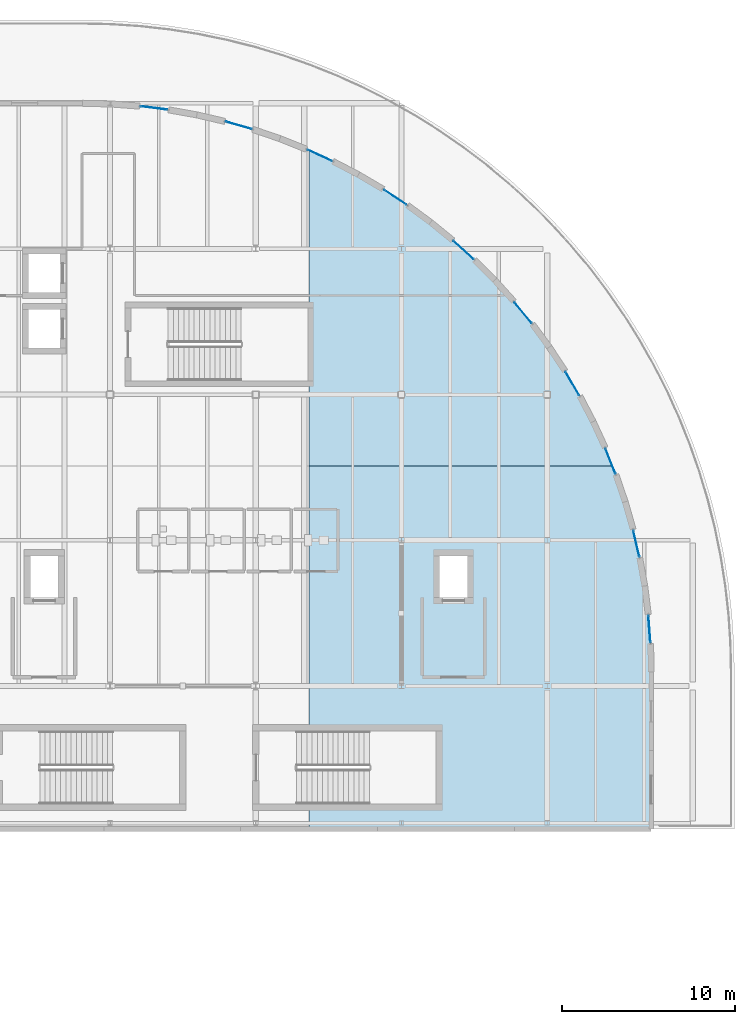
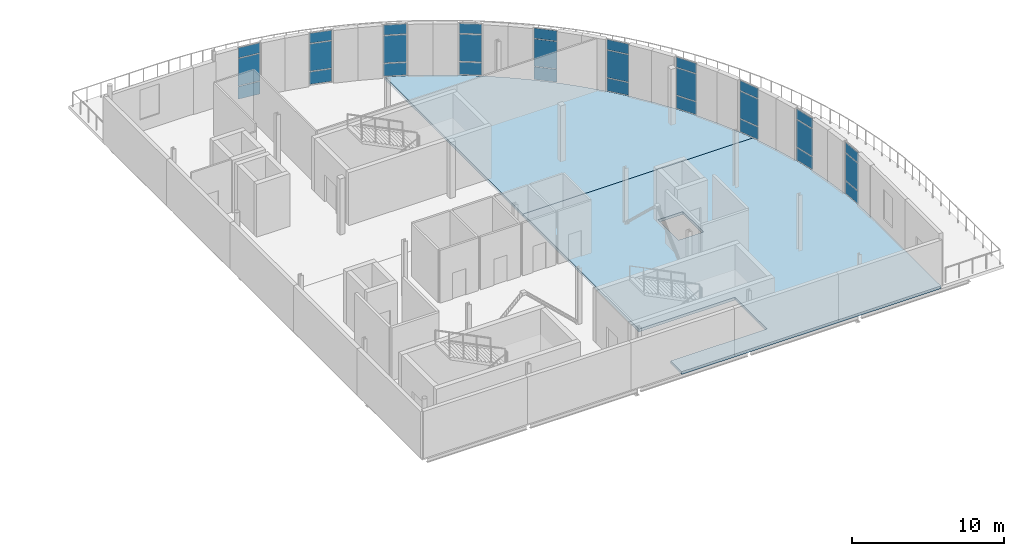
# One storey, part 20 of 40: 30 plates, 2 slabs, 10 elements without a shape of their own.
"""IFC4 building model written with IfcOpenShell, lengths in metres."""

import ifcopenshell
import ifcopenshell.guid

model = None  # the IFC model being written
_history = None  # IfcOwnerHistory: only IFC2X3 demands one
_inside = {}  # id of a spatial element -> (the spatial element, [elements in it])
_under = {}  # id of a project, library or spatial element -> (it, [spatial elements below it])
_declared = {}  # id of a project -> (the project, [libraries it declares])
_typed = {}  # id of a type object -> (the type object, [elements of that type])
_made_of = {}  # id of a material, layer set ... -> (it, [elements and type objects made of it])


def new_model(schema):
    """Start an empty IFC model of exactly this schema.

    Asked for "IFC4X3", IfcOpenShell would pick the latest addendum, in which some entities
    have other attributes; the version numbers below select the first issue.
    IFC2X3 requires an IfcOwnerHistory on every rooted entity: one is made here for all.
    """
    global model, _history
    if schema == "IFC4X3":
        model = ifcopenshell.file(schema_version=(4, 3, 0, 0))
    else:
        model = ifcopenshell.file(schema=schema)
    _inside.clear()
    _under.clear()
    _declared.clear()
    _typed.clear()
    _made_of.clear()
    _history = None
    if model.schema == "IFC2X3":
        org = make("IfcOrganization", Name="unknown")
        user = make(
            "IfcPersonAndOrganization",
            ThePerson=make("IfcPerson", FamilyName="unknown"),
            TheOrganization=org,
        )
        app = make(
            "IfcApplication",
            ApplicationDeveloper=org,
            Version="unknown",
            ApplicationFullName="unknown",
            ApplicationIdentifier="unknown",
        )
        _history = make(
            "IfcOwnerHistory",
            OwningUser=user,
            OwningApplication=app,
            ChangeAction="ADDED",
            CreationDate=0,
        )
    return model


def make(cls, **values):
    """One entity of the class cls with the attributes given. An attribute that is None is left unset."""
    return model.create_entity(
        cls, **{name: value for name, value in values.items() if value is not None}
    )


def rooted(cls, **values):
    """An entity with a GlobalId (a new one), such as an element, a storey or a relation."""
    return make(cls, GlobalId=ifcopenshell.guid.new(), OwnerHistory=_history, **values)


def si_unit(unit_type, name, prefix=None):
    """IfcSIUnit, for example si_unit("LENGTHUNIT", "METRE", prefix="MILLI")."""
    return make("IfcSIUnit", UnitType=unit_type, Prefix=prefix, Name=name)


def assignment(units):
    """IfcUnitAssignment: the units of a project."""
    return None if units is None else make("IfcUnitAssignment", Units=units)


def point(xyz):
    """IfcCartesianPoint."""
    return None if xyz is None else make("IfcCartesianPoint", Coordinates=xyz)


def direction(xyz):
    """IfcDirection."""
    return None if xyz is None else make("IfcDirection", DirectionRatios=xyz)


def frame(location, z_axis=None, x_axis=None):
    """IfcAxis2Placement3D, a coordinate frame: its origin and axes. An axis left out is left unset."""
    return make(
        "IfcAxis2Placement3D",
        Location=point(location),
        Axis=direction(z_axis),
        RefDirection=direction(x_axis),
    )


def frame_2d(location, x_axis=None):
    """IfcAxis2Placement2D, a coordinate frame in the plane: its origin and x axis."""
    return make(
        "IfcAxis2Placement2D", Location=point(location), RefDirection=direction(x_axis)
    )


def origin():
    """The frame at (0, 0, 0) with its axes left unset."""
    return frame((0.0, 0.0, 0.0))


def origin_2d():
    """The frame at (0, 0) in the plane with its x axis left unset."""
    return frame_2d((0.0, 0.0))


def place(relative_to, where):
    """IfcLocalPlacement: puts the frame where relative to a parent placement (None: the world)."""
    return make(
        "IfcLocalPlacement", PlacementRelTo=relative_to, RelativePlacement=where
    )


def context(
    kind, dimensions, precision=None, world=None, true_north=None, identifier=None
):
    """IfcGeometricRepresentationContext, for example the 3D "Model" context."""
    return make(
        "IfcGeometricRepresentationContext",
        ContextIdentifier=identifier,
        ContextType=kind,
        CoordinateSpaceDimension=dimensions,
        Precision=precision,
        WorldCoordinateSystem=world,
        TrueNorth=true_north,
    )


def subcontext(parent, identifier, kind, view, scale=None):
    """IfcGeometricRepresentationSubContext, for example "Body" below "Model"."""
    return make(
        "IfcGeometricRepresentationSubContext",
        ContextIdentifier=identifier,
        ContextType=kind,
        ParentContext=parent,
        TargetScale=scale,
        TargetView=view,
    )


def project(units=None, contexts=None):
    """IfcProject with its units and contexts."""
    return rooted(
        "IfcProject",
        Name="project",
        RepresentationContexts=contexts,
        UnitsInContext=assignment(units),
    )


def spatial(cls, under=None, at=None, **own):
    """A site, building, storey or space (cls), placed at a placement, below another one or the project."""
    s = rooted(cls, ObjectPlacement=at, **own)
    if under is not None:
        _under.setdefault(under.id(), (under, []))[1].append(s)
    return s


def polyline(points):
    """IfcPolyline through the points."""
    return make("IfcPolyline", Points=[point(p) for p in points])


def profile(cls, at=None, kind="AREA", **sizes):
    """A parametric profile (cls). Its sizes go by their IFC names, for example OverallWidth=200.0."""
    return make(cls, ProfileType=kind, Position=at, **sizes)


def rectangle(**sizes):
    """IfcRectangleProfileDef."""
    return profile("IfcRectangleProfileDef", **sizes)


def outline(outer, holes=None, kind="AREA"):
    """IfcArbitraryClosedProfileDef: a profile drawn as a closed curve; with holes, ...WithVoids."""
    if holes is None:
        return make("IfcArbitraryClosedProfileDef", ProfileType=kind, OuterCurve=outer)
    return make(
        "IfcArbitraryProfileDefWithVoids",
        ProfileType=kind,
        OuterCurve=outer,
        InnerCurves=holes,
    )


def extrude(swept, where, along, depth):
    """IfcExtrudedAreaSolid: the profile swept, set in the frame where, extruded along a direction by depth."""
    return make(
        "IfcExtrudedAreaSolid",
        SweptArea=swept,
        Position=where,
        ExtrudedDirection=direction(along),
        Depth=depth,
    )


def shape(context_of_items, identifier, shape_type, items):
    """IfcShapeRepresentation: the items that make up one representation, for example the "Body"."""
    return make(
        "IfcShapeRepresentation",
        ContextOfItems=context_of_items,
        RepresentationIdentifier=identifier,
        RepresentationType=shape_type,
        Items=items,
    )


def material(Name=None, Category=None):
    """IfcMaterial."""
    return make("IfcMaterial", Name=Name, Category=Category)


def layer(
    of_material, thickness, ventilated=None, Name=None, Category=None, Priority=None
):
    """IfcMaterialLayer: one layer of a wall or slab, of a material (None: an air gap)."""
    return make(
        "IfcMaterialLayer",
        Material=of_material,
        LayerThickness=thickness,
        IsVentilated=ventilated,
        Name=Name,
        Category=Category,
        Priority=Priority,
    )


def layer_set(layers, Name=None):
    """IfcMaterialLayerSet."""
    return make("IfcMaterialLayerSet", MaterialLayers=layers, LayerSetName=Name)


def made_of(thing, what):
    """Note that an element or type object is made of a material, layer set ...; save() writes the relation."""
    if what is not None:
        _made_of.setdefault(what.id(), (what, []))[1].append(thing)
    return thing


def type_object(cls, material=None, **own):
    """A type object (cls), such as IfcWallType, which elements share."""
    return made_of(rooted(cls, **own), material)


def element(
    cls,
    number,
    at=None,
    inside=None,
    cuts=None,
    type_object=None,
    material=None,
    context=None,
    identifier="Body",
    shape_type=None,
    held_by="IfcProductDefinitionShape",
    body=None,
    shapes=None,
    **own,
):
    """One element of the class cls, such as IfcWall. Its Tag is "e" and its number.

    at: its placement. inside: the storey or other place that contains it. cuts: it is an
    opening in that element (IfcRelVoidsElement). A single representation is given by context,
    identifier, shape_type and body (its items); several are given by shapes. held_by: the class
    of the entity that holds the representations. save() writes the other relations.
    """
    e = rooted(cls, Tag="e%d" % number, ObjectPlacement=at, **own)
    if body is not None:
        shapes = [shape(context, identifier, shape_type, body)]
    if shapes is not None:
        e.Representation = make(held_by, Representations=shapes)
    if inside is not None:
        _inside.setdefault(inside.id(), (inside, []))[1].append(e)
    if cuts is not None:
        rooted(
            "IfcRelVoidsElement", RelatingBuildingElement=cuts, RelatedOpeningElement=e
        )
    if type_object is not None:
        _typed.setdefault(type_object.id(), (type_object, []))[1].append(e)
    return made_of(e, material)


def aggregate(whole, parts):
    """IfcRelAggregates: a whole, such as a stair, and the parts it consists of."""
    return rooted("IfcRelAggregates", RelatingObject=whole, RelatedObjects=parts)


def save(model, path):
    """Write the relations noted so far, then the file.

    IfcRelAggregates (storeys below a building ...), IfcRelContainedInSpatialStructure (elements
    in a storey), IfcRelDefinesByType, IfcRelAssociatesMaterial and IfcRelDeclares: one each for
    every whole, place, type object, material and project.
    """
    for whole, parts in _under.values():
        aggregate(whole, parts)
    for where, things in _inside.values():
        rooted(
            "IfcRelContainedInSpatialStructure",
            RelatedElements=things,
            RelatingStructure=where,
        )
    for kind, things in _typed.values():
        rooted("IfcRelDefinesByType", RelatedObjects=things, RelatingType=kind)
    for what, things in _made_of.values():
        rooted("IfcRelAssociatesMaterial", RelatedObjects=things, RelatingMaterial=what)
    for by, libraries in _declared.values():
        rooted("IfcRelDeclares", RelatingContext=by, RelatedDefinitions=libraries)
    model.write(path)


model = new_model("IFC4")

# Units and contexts
model_context = context("Model", 3, precision=1e-05, world=origin(), true_north=direction((0.0, 1.0)))
body_context = subcontext(model_context, "Body", "Model", "MODEL_VIEW")
ifc_project = project(units=[si_unit("LENGTHUNIT", "METRE"), si_unit("AREAUNIT", "SQUARE_METRE"), si_unit("VOLUMEUNIT", "CUBIC_METRE"), si_unit("PLANEANGLEUNIT", "RADIAN"), si_unit("MASSUNIT", "GRAM", prefix="KILO"), si_unit("THERMODYNAMICTEMPERATUREUNIT", "KELVIN")], contexts=[model_context])

# Site, building, storey
site_placement = place(None, origin())
site = spatial("IfcSite", under=ifc_project, at=site_placement, CompositionType="ELEMENT")
building_placement = place(site_placement, origin())
building = spatial("IfcBuilding", under=site, at=building_placement, Name="Lustrewick Department Store", CompositionType="ELEMENT")
storey_placement = place(building_placement, frame((0.0, 0.0, 31.800048828125)))
storey = spatial("IfcBuildingStorey", under=building, at=storey_placement, Name="L07", CompositionType="ELEMENT", Elevation=31.800048828125)

# Curtain wall, plates
ifc_material_1 = material(Name="Thermally broken aluminium 6063-T5", Category="aluminium")
ifc_layer_1 = layer(ifc_material_1, 0.179931640625, Name="Thermally broken aluminium 6063-T5")
ifc_layer_set_1 = layer_set([ifc_layer_1], Name="Thermally broken aluminium 6063-T5")
curtain_wall_type_1 = type_object("IfcCurtainWallType", Name="CW11", PredefinedType="NOTDEFINED", material=ifc_layer_set_1)
curtain_wall_1_placement = place(storey_placement, origin())
curtain_wall_1 = element("IfcCurtainWall", 1, at=curtain_wall_1_placement, inside=storey, type_object=curtain_wall_type_1, Name="L07 V4 Curtain Wall CW11", PredefinedType="NOTDEFINED")
ifc_material_2 = material(Name="Low-E laminated safety glass", Category="glass")
ifc_layer_2 = layer(ifc_material_2, 0.02392578125, Name="Low-E laminated safety glass")
ifc_layer_set_2 = layer_set([ifc_layer_2], Name="Low-E laminated safety glass")
plate_type_1 = type_object("IfcPlateType", Name="CP01", PredefinedType="CURTAIN_PANEL", material=ifc_layer_set_2)
plate_1_placement = place(storey_placement, frame((147.940673828125, 67.011962890625, 0.06494140625), z_axis=(0.0, 0.0, 1.0), x_axis=(-0.226076687502, 0.974109506867, 0.0)))
plate_1 = element("IfcPlate", 2, at=plate_1_placement, type_object=plate_type_1, Name="CW11 panel 1.1", PredefinedType="CURTAIN_PANEL", context=body_context, shape_type="SweptSolid", body=[
    extrude(rectangle(XDim=1.53173828125, YDim=0.02392578125, at=origin_2d()), origin(), (0.0, 0.0, 1.0), 1.00244140625),
])
plate_2_placement = place(storey_placement, frame((147.940673828125, 67.011962890625, 1.13232421875), z_axis=(0.0, 0.0, 1.0), x_axis=(-0.226076687502, 0.974109506867, 0.0)))
plate_2 = element("IfcPlate", 3, at=plate_2_placement, type_object=plate_type_1, Name="CW11 panel 1.2", PredefinedType="CURTAIN_PANEL", context=body_context, shape_type="SweptSolid", body=[
    extrude(rectangle(XDim=1.53173828125, YDim=0.02392578125, at=origin_2d()), origin(), (0.0, 0.0, 1.0), 2.179931640625),
])
plate_3_placement = place(storey_placement, frame((147.940673828125, 67.011962890625, 3.37744140625), z_axis=(0.0, 0.0, 1.0), x_axis=(-0.226076687502, 0.974109506867, 0.0)))
plate_3 = element("IfcPlate", 4, at=plate_3_placement, type_object=plate_type_1, Name="CW11 panel 1.3", PredefinedType="CURTAIN_PANEL", context=body_context, shape_type="SweptSolid", body=[
    extrude(rectangle(XDim=1.53173828125, YDim=0.02392578125, at=origin_2d()), origin(), (0.0, 0.0, 1.0), 0.802490234375),
])
aggregate(curtain_wall_1, [plate_1, plate_2, plate_3])

ifc_layer_3 = layer(ifc_material_1, 0.199951171875, Name="Thermally broken aluminium 6063-T5")
ifc_layer_set_3 = layer_set([ifc_layer_3], Name="Thermally broken aluminium 6063-T5")
curtain_wall_type_2 = type_object("IfcCurtainWallType", Name="CW01", PredefinedType="NOTDEFINED", material=ifc_layer_set_3)
curtain_wall_2_placement = place(storey_placement, origin())
curtain_wall_2 = element("IfcCurtainWall", 5, at=curtain_wall_2_placement, inside=storey, type_object=curtain_wall_type_2, Name="L07 V4 Curtain Wall CW01", PredefinedType="NOTDEFINED")
plate_4_placement = place(storey_placement, frame((134.043701171875, 86.978271484375, 0.06982421875), z_axis=(0.0, 0.0, 1.0), x_axis=(-0.834973285701, 0.550290479806, 0.0)))
plate_4 = element("IfcPlate", 6, at=plate_4_placement, type_object=plate_type_1, Name="CW01 panel 1.1", PredefinedType="CURTAIN_PANEL", context=body_context, shape_type="SweptSolid", body=[
    extrude(rectangle(XDim=1.521728515625, YDim=0.02392578125, at=origin_2d()), origin(), (0.0, 0.0, 1.0), 0.9951171875),
])
plate_5_placement = place(storey_placement, frame((134.043701171875, 86.978271484375, 1.134765625), z_axis=(0.0, 0.0, 1.0), x_axis=(-0.834973285701, 0.550290479806, 0.0)))
plate_5 = element("IfcPlate", 7, at=plate_5_placement, type_object=plate_type_1, Name="CW01 panel 1.2", PredefinedType="CURTAIN_PANEL", context=body_context, shape_type="SweptSolid", body=[
    extrude(rectangle(XDim=1.521728515625, YDim=0.02392578125, at=origin_2d()), origin(), (0.0, 0.0, 1.0), 2.175048828125),
])
plate_6_placement = place(storey_placement, frame((134.043701171875, 86.978271484375, 3.3798828125), z_axis=(0.0, 0.0, 1.0), x_axis=(-0.834973285701, 0.550290479806, 0.0)))
plate_6 = element("IfcPlate", 8, at=plate_6_placement, type_object=plate_type_1, Name="CW01 panel 1.3", PredefinedType="CURTAIN_PANEL", context=body_context, shape_type="SweptSolid", body=[
    extrude(rectangle(XDim=1.521728515625, YDim=0.02392578125, at=origin_2d()), origin(), (0.0, 0.0, 1.0), 0.794921875),
])
aggregate(curtain_wall_2, [plate_4, plate_5, plate_6])

ifc_layer_4 = layer(ifc_material_1, 0.169921875, Name="Thermally broken aluminium 6063-T5")
ifc_layer_set_4 = layer_set([ifc_layer_4], Name="Thermally broken aluminium 6063-T5")
curtain_wall_type_3 = type_object("IfcCurtainWallType", Name="CW12", PredefinedType="NOTDEFINED", material=ifc_layer_set_4)
curtain_wall_3_placement = place(storey_placement, origin())
curtain_wall_3 = element("IfcCurtainWall", 9, at=curtain_wall_3_placement, inside=storey, type_object=curtain_wall_type_3, Name="L07 V4 Curtain Wall CW12", PredefinedType="NOTDEFINED")
ifc_layer_5 = layer(ifc_material_2, 0.02587890625, Name="Low-E laminated safety glass")
ifc_layer_set_5 = layer_set([ifc_layer_5], Name="Low-E laminated safety glass")
plate_type_2 = type_object("IfcPlateType", Name="CP02", PredefinedType="CURTAIN_PANEL", material=ifc_layer_set_5)
plate_7_placement = place(storey_placement, frame((146.449951171875, 71.76318359375, 0.06494140625), z_axis=(0.0, 0.0, 1.0), x_axis=(-0.370965277968, 0.928646737216, 0.0)))
plate_7 = element("IfcPlate", 10, at=plate_7_placement, type_object=plate_type_2, Name="CW12 panel 1.1", PredefinedType="CURTAIN_PANEL", context=body_context, shape_type="SweptSolid", body=[
    extrude(rectangle(XDim=1.531982421875, YDim=0.02587890625, at=origin_2d()), origin(), (0.0, 0.0, 1.0), 1.00244140625),
])
plate_8_placement = place(storey_placement, frame((146.449951171875, 71.76318359375, 1.13232421875), z_axis=(0.0, 0.0, 1.0), x_axis=(-0.370965277968, 0.928646737216, 0.0)))
plate_8 = element("IfcPlate", 11, at=plate_8_placement, type_object=plate_type_2, Name="CW12 panel 1.2", PredefinedType="CURTAIN_PANEL", context=body_context, shape_type="SweptSolid", body=[
    extrude(rectangle(XDim=1.531982421875, YDim=0.02587890625, at=origin_2d()), origin(), (0.0, 0.0, 1.0), 2.179931640625),
])
plate_9_placement = place(storey_placement, frame((146.449951171875, 71.76318359375, 3.37744140625), z_axis=(0.0, 0.0, 1.0), x_axis=(-0.370965277968, 0.928646737216, 0.0)))
plate_9 = element("IfcPlate", 12, at=plate_9_placement, type_object=plate_type_2, Name="CW12 panel 1.3", PredefinedType="CURTAIN_PANEL", context=body_context, shape_type="SweptSolid", body=[
    extrude(rectangle(XDim=1.531982421875, YDim=0.02587890625, at=origin_2d()), origin(), (0.0, 0.0, 1.0), 0.802490234375),
])
aggregate(curtain_wall_3, [plate_7, plate_8, plate_9])

ifc_layer_6 = layer(ifc_material_1, 0.179931640625, Name="Thermally broken aluminium 6063-T5")
ifc_layer_set_6 = layer_set([ifc_layer_6], Name="Thermally broken aluminium 6063-T5")
curtain_wall_type_4 = type_object("IfcCurtainWallType", Name="CW02", PredefinedType="NOTDEFINED", material=ifc_layer_set_6)
curtain_wall_4_placement = place(storey_placement, origin())
curtain_wall_4 = element("IfcCurtainWall", 13, at=curtain_wall_4_placement, inside=storey, type_object=curtain_wall_type_4, Name="L07 V4 Curtain Wall CW02", PredefinedType="NOTDEFINED")
plate_10_placement = place(storey_placement, frame((129.68994140625, 89.39501953125, 0.06494140625), z_axis=(0.0, 0.0, 1.0), x_axis=(-0.908673141844, 0.41750822901, 0.0)))
plate_10 = element("IfcPlate", 14, at=plate_10_placement, type_object=plate_type_2, Name="CW02 panel 1.1", PredefinedType="CURTAIN_PANEL", context=body_context, shape_type="SweptSolid", body=[
    extrude(rectangle(XDim=1.53173828125, YDim=0.02587890625, at=origin_2d()), origin(), (0.0, 0.0, 1.0), 1.00244140625),
])
plate_11_placement = place(storey_placement, frame((129.68994140625, 89.39501953125, 1.13232421875), z_axis=(0.0, 0.0, 1.0), x_axis=(-0.908673141844, 0.41750822901, 0.0)))
plate_11 = element("IfcPlate", 15, at=plate_11_placement, type_object=plate_type_2, Name="CW02 panel 1.2", PredefinedType="CURTAIN_PANEL", context=body_context, shape_type="SweptSolid", body=[
    extrude(rectangle(XDim=1.53173828125, YDim=0.02587890625, at=origin_2d()), origin(), (0.0, 0.0, 1.0), 2.179931640625),
])
plate_12_placement = place(storey_placement, frame((129.68994140625, 89.39501953125, 3.37744140625), z_axis=(0.0, 0.0, 1.0), x_axis=(-0.908673141844, 0.41750822901, 0.0)))
plate_12 = element("IfcPlate", 16, at=plate_12_placement, type_object=plate_type_2, Name="CW02 panel 1.3", PredefinedType="CURTAIN_PANEL", context=body_context, shape_type="SweptSolid", body=[
    extrude(rectangle(XDim=1.53173828125, YDim=0.02587890625, at=origin_2d()), origin(), (0.0, 0.0, 1.0), 0.802490234375),
])
aggregate(curtain_wall_4, [plate_10, plate_11, plate_12])

ifc_layer_7 = layer(ifc_material_1, 0.159912109375, Name="Thermally broken aluminium 6063-T5")
ifc_layer_set_7 = layer_set([ifc_layer_7], Name="Thermally broken aluminium 6063-T5")
curtain_wall_type_5 = type_object("IfcCurtainWallType", Name="CW13", PredefinedType="NOTDEFINED", material=ifc_layer_set_7)
curtain_wall_5_placement = place(storey_placement, origin())
curtain_wall_5 = element("IfcCurtainWall", 17, at=curtain_wall_5_placement, inside=storey, type_object=curtain_wall_type_5, Name="L07 V4 Curtain Wall CW13", PredefinedType="NOTDEFINED")
ifc_layer_8 = layer(ifc_material_2, 0.028076171875, Name="Low-E laminated safety glass")
ifc_layer_set_8 = layer_set([ifc_layer_8], Name="Low-E laminated safety glass")
plate_type_3 = type_object("IfcPlateType", Name="CP03", PredefinedType="CURTAIN_PANEL", material=ifc_layer_set_8)
plate_13_placement = place(storey_placement, frame((144.257080078125, 76.23388671875, 0.06005859375), z_axis=(0.0, 0.0, 1.0), x_axis=(-0.507327771045, 0.8617531739, 0.0)))
plate_13 = element("IfcPlate", 18, at=plate_13_placement, type_object=plate_type_3, Name="CW13 panel 1.1", PredefinedType="CURTAIN_PANEL", context=body_context, shape_type="SweptSolid", body=[
    extrude(rectangle(XDim=1.541748046875, YDim=0.028076171875, at=origin_2d()), origin(), (0.0, 0.0, 1.0), 1.010009765625),
])
plate_14_placement = place(storey_placement, frame((144.257080078125, 76.23388671875, 1.1298828125), z_axis=(0.0, 0.0, 1.0), x_axis=(-0.507327771045, 0.8617531739, 0.0)))
plate_14 = element("IfcPlate", 19, at=plate_14_placement, type_object=plate_type_3, Name="CW13 panel 1.2", PredefinedType="CURTAIN_PANEL", context=body_context, shape_type="SweptSolid", body=[
    extrude(rectangle(XDim=1.541748046875, YDim=0.028076171875, at=origin_2d()), origin(), (0.0, 0.0, 1.0), 2.18505859375),
])
plate_15_placement = place(storey_placement, frame((144.257080078125, 76.23388671875, 3.375), z_axis=(0.0, 0.0, 1.0), x_axis=(-0.507327771045, 0.8617531739, 0.0)))
plate_15 = element("IfcPlate", 20, at=plate_15_placement, type_object=plate_type_3, Name="CW13 panel 1.3", PredefinedType="CURTAIN_PANEL", context=body_context, shape_type="SweptSolid", body=[
    extrude(rectangle(XDim=1.541748046875, YDim=0.028076171875, at=origin_2d()), origin(), (0.0, 0.0, 1.0), 0.81005859375),
])
aggregate(curtain_wall_5, [plate_13, plate_14, plate_15])

ifc_layer_9 = layer(ifc_material_1, 0.169921875, Name="Thermally broken aluminium 6063-T5")
ifc_layer_set_9 = layer_set([ifc_layer_9], Name="Thermally broken aluminium 6063-T5")
curtain_wall_type_6 = type_object("IfcCurtainWallType", Name="CW03", PredefinedType="NOTDEFINED", material=ifc_layer_set_9)
curtain_wall_6_placement = place(storey_placement, origin())
curtain_wall_6 = element("IfcCurtainWall", 21, at=curtain_wall_6_placement, inside=storey, type_object=curtain_wall_type_6, Name="L07 V4 Curtain Wall CW03", PredefinedType="NOTDEFINED")
plate_16_placement = place(storey_placement, frame((125.020263671875, 91.124267578125, 0.06494140625), z_axis=(0.0, 0.0, 1.0), x_axis=(-0.96142624341, 0.275062862782, 0.0)))
plate_16 = element("IfcPlate", 22, at=plate_16_placement, type_object=plate_type_3, Name="CW03 panel 1.1", PredefinedType="CURTAIN_PANEL", context=body_context, shape_type="SweptSolid", body=[
    extrude(rectangle(XDim=1.53173828125, YDim=0.028076171875, at=origin_2d()), origin(), (0.0, 0.0, 1.0), 1.00244140625),
])
plate_17_placement = place(storey_placement, frame((125.020263671875, 91.124267578125, 1.13232421875), z_axis=(0.0, 0.0, 1.0), x_axis=(-0.96142624341, 0.275062862782, 0.0)))
plate_17 = element("IfcPlate", 23, at=plate_17_placement, type_object=plate_type_3, Name="CW03 panel 1.2", PredefinedType="CURTAIN_PANEL", context=body_context, shape_type="SweptSolid", body=[
    extrude(rectangle(XDim=1.53173828125, YDim=0.028076171875, at=origin_2d()), origin(), (0.0, 0.0, 1.0), 2.179931640625),
])
plate_18_placement = place(storey_placement, frame((125.020263671875, 91.124267578125, 3.37744140625), z_axis=(0.0, 0.0, 1.0), x_axis=(-0.96142624341, 0.275062862782, 0.0)))
plate_18 = element("IfcPlate", 24, at=plate_18_placement, type_object=plate_type_3, Name="CW03 panel 1.3", PredefinedType="CURTAIN_PANEL", context=body_context, shape_type="SweptSolid", body=[
    extrude(rectangle(XDim=1.53173828125, YDim=0.028076171875, at=origin_2d()), origin(), (0.0, 0.0, 1.0), 0.802490234375),
])
aggregate(curtain_wall_6, [plate_16, plate_17, plate_18])

ifc_layer_10 = layer(ifc_material_1, 0.14990234375, Name="Thermally broken aluminium 6063-T5")
ifc_layer_set_10 = layer_set([ifc_layer_10], Name="Thermally broken aluminium 6063-T5")
curtain_wall_type_7 = type_object("IfcCurtainWallType", Name="CW14", PredefinedType="NOTDEFINED", material=ifc_layer_set_10)
curtain_wall_7_placement = place(storey_placement, origin())
curtain_wall_7 = element("IfcCurtainWall", 25, at=curtain_wall_7_placement, inside=storey, type_object=curtain_wall_type_7, Name="L07 V4 Curtain Wall CW14", PredefinedType="NOTDEFINED")
ifc_material_3 = material(Name="Tinted ceramic spandrel safety glass", Category="glass")
ifc_layer_11 = layer(ifc_material_3, 0.030029296875, Name="Tinted ceramic spandrel safety glass")
ifc_layer_set_11 = layer_set([ifc_layer_11], Name="Tinted ceramic spandrel safety glass")
plate_type_4 = type_object("IfcPlateType", Name="CP04", PredefinedType="CURTAIN_PANEL", material=ifc_layer_set_11)
plate_19_placement = place(storey_placement, frame((141.412353515625, 80.321044921875, 0.06005859375), z_axis=(0.0, 0.0, 1.0), x_axis=(-0.631926080564, 0.775028663149, 0.0)))
plate_19 = element("IfcPlate", 26, at=plate_19_placement, type_object=plate_type_4, Name="CW14 panel 1.1", PredefinedType="CURTAIN_PANEL", context=body_context, shape_type="SweptSolid", body=[
    extrude(rectangle(XDim=1.541748046875, YDim=0.030029296875, at=origin_2d()), origin(), (0.0, 0.0, 1.0), 1.010009765625),
])
plate_20_placement = place(storey_placement, frame((141.412353515625, 80.321044921875, 1.1298828125), z_axis=(0.0, 0.0, 1.0), x_axis=(-0.631926080564, 0.775028663149, 0.0)))
plate_20 = element("IfcPlate", 27, at=plate_20_placement, type_object=plate_type_4, Name="CW14 panel 1.2", PredefinedType="CURTAIN_PANEL", context=body_context, shape_type="SweptSolid", body=[
    extrude(rectangle(XDim=1.541748046875, YDim=0.030029296875, at=origin_2d()), origin(), (0.0, 0.0, 1.0), 2.18505859375),
])
plate_21_placement = place(storey_placement, frame((141.412353515625, 80.321044921875, 3.375), z_axis=(0.0, 0.0, 1.0), x_axis=(-0.631926080564, 0.775028663149, 0.0)))
plate_21 = element("IfcPlate", 28, at=plate_21_placement, type_object=plate_type_4, Name="CW14 panel 1.3", PredefinedType="CURTAIN_PANEL", context=body_context, shape_type="SweptSolid", body=[
    extrude(rectangle(XDim=1.541748046875, YDim=0.030029296875, at=origin_2d()), origin(), (0.0, 0.0, 1.0), 0.81005859375),
])
aggregate(curtain_wall_7, [plate_19, plate_20, plate_21])

ifc_layer_12 = layer(ifc_material_1, 0.159912109375, Name="Thermally broken aluminium 6063-T5")
ifc_layer_set_12 = layer_set([ifc_layer_12], Name="Thermally broken aluminium 6063-T5")
curtain_wall_type_8 = type_object("IfcCurtainWallType", Name="CW04", PredefinedType="NOTDEFINED", material=ifc_layer_set_12)
curtain_wall_8_placement = place(storey_placement, origin())
curtain_wall_8 = element("IfcCurtainWall", 29, at=curtain_wall_8_placement, inside=storey, type_object=curtain_wall_type_8, Name="L07 V4 Curtain Wall CW04", PredefinedType="NOTDEFINED")
plate_22_placement = place(storey_placement, frame((120.142578125, 92.126708984375, 0.06005859375), z_axis=(0.0, 0.0, 1.0), x_axis=(-0.991991058806, 0.126308112363, 0.0)))
plate_22 = element("IfcPlate", 30, at=plate_22_placement, type_object=plate_type_4, Name="CW04 panel 1.1", PredefinedType="CURTAIN_PANEL", context=body_context, shape_type="SweptSolid", body=[
    extrude(rectangle(XDim=1.541748046875, YDim=0.030029296875, at=origin_2d()), origin(), (0.0, 0.0, 1.0), 1.010009765625),
])
plate_23_placement = place(storey_placement, frame((120.142578125, 92.126708984375, 1.1298828125), z_axis=(0.0, 0.0, 1.0), x_axis=(-0.991991058806, 0.126308112363, 0.0)))
plate_23 = element("IfcPlate", 31, at=plate_23_placement, type_object=plate_type_4, Name="CW04 panel 1.2", PredefinedType="CURTAIN_PANEL", context=body_context, shape_type="SweptSolid", body=[
    extrude(rectangle(XDim=1.541748046875, YDim=0.030029296875, at=origin_2d()), origin(), (0.0, 0.0, 1.0), 2.18505859375),
])
plate_24_placement = place(storey_placement, frame((120.142578125, 92.126708984375, 3.375), z_axis=(0.0, 0.0, 1.0), x_axis=(-0.991991058806, 0.126308112363, 0.0)))
plate_24 = element("IfcPlate", 32, at=plate_24_placement, type_object=plate_type_4, Name="CW04 panel 1.3", PredefinedType="CURTAIN_PANEL", context=body_context, shape_type="SweptSolid", body=[
    extrude(rectangle(XDim=1.541748046875, YDim=0.030029296875, at=origin_2d()), origin(), (0.0, 0.0, 1.0), 0.81005859375),
])
aggregate(curtain_wall_8, [plate_22, plate_23, plate_24])

ifc_layer_13 = layer(ifc_material_1, 0.199951171875, Name="Thermally broken aluminium 6063-T5")
ifc_layer_set_13 = layer_set([ifc_layer_13], Name="Thermally broken aluminium 6063-T5")
curtain_wall_type_9 = type_object("IfcCurtainWallType", Name="CW10", PredefinedType="NOTDEFINED", material=ifc_layer_set_13)
curtain_wall_9_placement = place(storey_placement, origin())
curtain_wall_9 = element("IfcCurtainWall", 33, at=curtain_wall_9_placement, inside=storey, type_object=curtain_wall_type_9, Name="L07 V4 Curtain Wall CW10", PredefinedType="NOTDEFINED")
ifc_material_4 = material(Name="Low-E triple laminated safety glass", Category="glass")
ifc_layer_14 = layer(ifc_material_4, 0.031982421875, Name="Low-E triple laminated safety glass")
ifc_layer_set_14 = layer_set([ifc_layer_14], Name="Low-E triple laminated safety glass")
plate_type_5 = type_object("IfcPlateType", Name="CP05", PredefinedType="CURTAIN_PANEL", material=ifc_layer_set_14)
plate_25_placement = place(storey_placement, frame((148.69482421875, 62.08984375, 0.06982421875), z_axis=(0.0, 0.0, 1.0), x_axis=(-0.075941802158, 0.997112251798, 0.0)))
plate_25 = element("IfcPlate", 34, at=plate_25_placement, type_object=plate_type_5, Name="CW10 panel 1.1", PredefinedType="CURTAIN_PANEL", context=body_context, shape_type="SweptSolid", body=[
    extrude(rectangle(XDim=1.521728515625, YDim=0.031982421875, at=origin_2d()), origin(), (0.0, 0.0, 1.0), 0.9951171875),
])
plate_26_placement = place(storey_placement, frame((148.69482421875, 62.08984375, 1.134765625), z_axis=(0.0, 0.0, 1.0), x_axis=(-0.075941802158, 0.997112251798, 0.0)))
plate_26 = element("IfcPlate", 35, at=plate_26_placement, type_object=plate_type_5, Name="CW10 panel 1.2", PredefinedType="CURTAIN_PANEL", context=body_context, shape_type="SweptSolid", body=[
    extrude(rectangle(XDim=1.521728515625, YDim=0.031982421875, at=origin_2d()), origin(), (0.0, 0.0, 1.0), 2.175048828125),
])
plate_27_placement = place(storey_placement, frame((148.69482421875, 62.08984375, 3.3798828125), z_axis=(0.0, 0.0, 1.0), x_axis=(-0.075941802158, 0.997112251798, 0.0)))
plate_27 = element("IfcPlate", 36, at=plate_27_placement, type_object=plate_type_5, Name="CW10 panel 1.3", PredefinedType="CURTAIN_PANEL", context=body_context, shape_type="SweptSolid", body=[
    extrude(rectangle(XDim=1.521728515625, YDim=0.031982421875, at=origin_2d()), origin(), (0.0, 0.0, 1.0), 0.794921875),
])
aggregate(curtain_wall_9, [plate_25, plate_26, plate_27])

ifc_layer_15 = layer(ifc_material_1, 0.139892578125, Name="Thermally broken aluminium 6063-T5")
ifc_layer_set_15 = layer_set([ifc_layer_15], Name="Thermally broken aluminium 6063-T5")
curtain_wall_type_10 = type_object("IfcCurtainWallType", Name="CW15", PredefinedType="NOTDEFINED", material=ifc_layer_set_15)
curtain_wall_10_placement = place(storey_placement, origin())
curtain_wall_10 = element("IfcCurtainWall", 37, at=curtain_wall_10_placement, inside=storey, type_object=curtain_wall_type_10, Name="L07 V4 Curtain Wall CW15", PredefinedType="NOTDEFINED")
plate_28_placement = place(storey_placement, frame((137.9814453125, 83.93017578125, 0.054931640625), z_axis=(0.0, 0.0, 1.0), x_axis=(-0.742003184008, 0.670396356585, 0.0)))
plate_28 = element("IfcPlate", 38, at=plate_28_placement, type_object=plate_type_5, Name="CW15 panel 1.1", PredefinedType="CURTAIN_PANEL", context=body_context, shape_type="SweptSolid", body=[
    extrude(rectangle(XDim=1.5517578125, YDim=0.031982421875, at=origin_2d()), origin(), (0.0, 0.0, 1.0), 1.017578125),
])
plate_29_placement = place(storey_placement, frame((137.9814453125, 83.93017578125, 1.12744140625), z_axis=(0.0, 0.0, 1.0), x_axis=(-0.742003184008, 0.670396356585, 0.0)))
plate_29 = element("IfcPlate", 39, at=plate_29_placement, type_object=plate_type_5, Name="CW15 panel 1.2", PredefinedType="CURTAIN_PANEL", context=body_context, shape_type="SweptSolid", body=[
    extrude(rectangle(XDim=1.5517578125, YDim=0.031982421875, at=origin_2d()), origin(), (0.0, 0.0, 1.0), 2.18994140625),
])
plate_30_placement = place(storey_placement, frame((137.9814453125, 83.93017578125, 3.37255859375), z_axis=(0.0, 0.0, 1.0), x_axis=(-0.742003184008, 0.670396356585, 0.0)))
plate_30 = element("IfcPlate", 40, at=plate_30_placement, type_object=plate_type_5, Name="CW15 panel 1.3", PredefinedType="CURTAIN_PANEL", context=body_context, shape_type="SweptSolid", body=[
    extrude(rectangle(XDim=1.5517578125, YDim=0.031982421875, at=origin_2d()), origin(), (0.0, 0.0, 1.0), 0.8173828125),
])
aggregate(curtain_wall_10, [plate_28, plate_29, plate_30])

# Slabs
ifc_material_5 = material(Name="Concrete C30", Category="concrete")
ifc_layer_16 = layer(ifc_material_5, 0.221923828125, Name="Concrete C30")
ifc_layer_set_16 = layer_set([ifc_layer_16], Name="Concrete C30")
slab_type = type_object("IfcSlabType", Name="FS07", PredefinedType="FLOOR", material=ifc_layer_set_16)
slab_1_placement = place(storey_placement, frame((0.0, 0.0, -0.22216796875)))
element("IfcSlab", 41, at=slab_1_placement, inside=storey, type_object=slab_type, Name="L07 V4 Floor Slab FS07", PredefinedType="FLOOR", context=body_context, shape_type="SweptSolid", body=[
    extrude(outline(polyline([(146.75830078125, 70.99169921875), (146.565185546875, 71.47509765625), (129.074951171875, 71.47509765625), (129.074951171875, 56.199951171875), (136.39990234375, 56.199951171875), (136.39990234375, 52.0), (129.074951171875, 52.0), (129.074951171875, 50.550048828125), (148.800048828125, 50.550048828125), (148.800048828125, 59.60009765625), (148.7578125, 61.26123046875), (148.631591796875, 62.918212890625), (148.421875, 64.56689453125), (148.128662109375, 66.20263671875), (147.7529296875, 67.8212890625), (147.2958984375, 69.419189453125), (146.75830078125, 70.99169921875)]), holes=[polyline([(138.35009765625, 66.449951171875), (138.35009765625, 63.75), (136.449951171875, 63.75), (136.449951171875, 66.449951171875), (138.35009765625, 66.449951171875)])]), origin(), (0.0, 0.0, 1.0), 0.22216796875),
])
slab_2_placement = place(storey_placement, frame((0.0, 0.0, -0.22216796875)))
element("IfcSlab", 42, at=slab_2_placement, inside=storey, type_object=slab_type, Name="L07 V4 Floor Slab FS07", PredefinedType="FLOOR", context=body_context, shape_type="SweptSolid", body=[
    extrude(outline(polyline([(130.44482421875, 89.048095703125), (129.074951171875, 89.677490234375), (129.074951171875, 71.47509765625), (146.565185546875, 71.47509765625), (146.141845703125, 72.534912109375), (145.447998046875, 74.044921875), (144.6787109375, 75.517822265625), (143.83544921875, 76.949951171875), (142.9208984375, 78.337646484375), (141.9375, 79.677001953125), (140.88720703125, 80.965087890625), (139.773193359375, 82.197998046875), (138.59814453125, 83.373291015625), (137.364990234375, 84.4873046875), (136.0771484375, 85.537353515625), (134.737548828125, 86.52099609375), (133.35009765625, 87.435546875), (131.91796875, 88.278564453125), (130.44482421875, 89.048095703125)])), origin(), (0.0, 0.0, 1.0), 0.22216796875),
])

save(model, "model.ifc")
